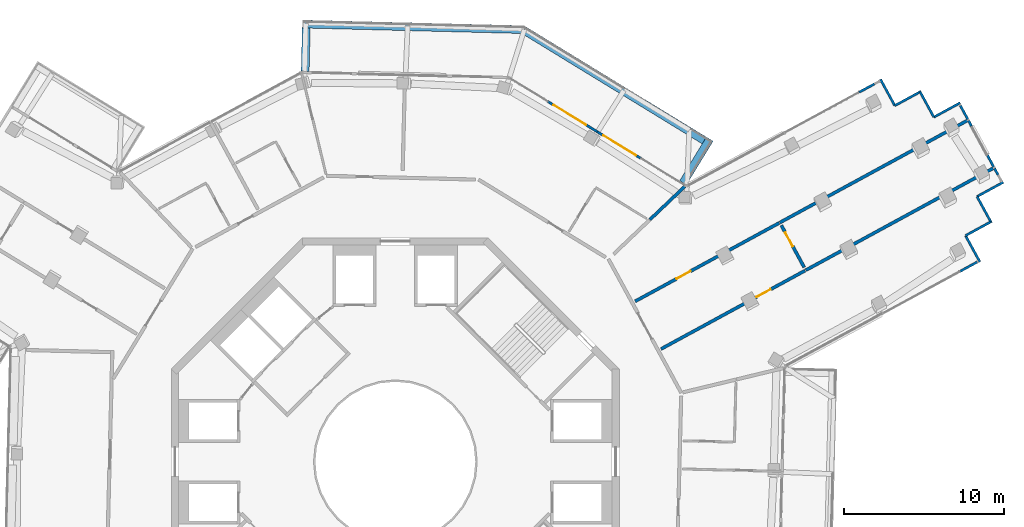
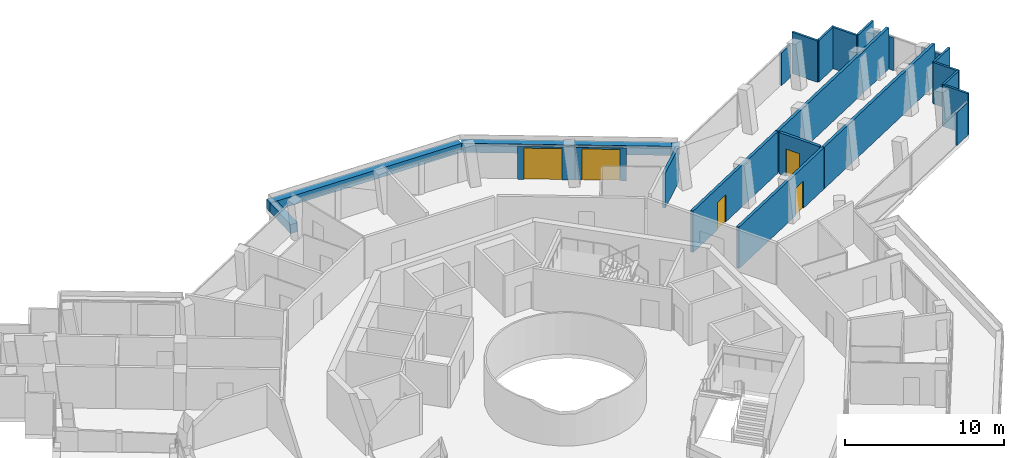
# One storey, part 21 of 24: 26 walls, 5 doors, 5 openings.
"""IFC4 building model written with IfcOpenShell, lengths in metres."""

from ifc_helpers import new_model, si_unit, direction, frame, frame_2d, origin, place, context, subcontext, project, spatial, rectangle, extrude, material, layer, layer_set, type_object, element, fill, save


model = new_model("IFC4")

# Units and contexts
model_context = context("Model", 3, precision=1e-05, world=origin(), true_north=direction((0.0, 1.0)))
body_context = subcontext(model_context, "Body", "Model", "MODEL_VIEW")
ifc_project = project(units=[si_unit("LENGTHUNIT", "METRE"), si_unit("AREAUNIT", "SQUARE_METRE"), si_unit("VOLUMEUNIT", "CUBIC_METRE"), si_unit("PLANEANGLEUNIT", "RADIAN"), si_unit("MASSUNIT", "GRAM", prefix="KILO")], contexts=[model_context])

# Site, building, storey
site_placement = place(None, origin())
site = spatial("IfcSite", under=ifc_project, at=site_placement, CompositionType="ELEMENT")
building_placement = place(site_placement, origin())
building = spatial("IfcBuilding", under=site, at=building_placement, Name="Verdalira Terraces Hotel", CompositionType="ELEMENT")
storey_placement = place(building_placement, frame((0.0, 0.0, 274.0)))
storey = spatial("IfcBuildingStorey", under=building, at=storey_placement, Name="L67", CompositionType="ELEMENT", Elevation=274.0)

# Walls
ifc_material_1 = material(Name="Concrete C40", Category="concrete")
ifc_layer_1 = layer(ifc_material_1, 0.5)
ifc_layer_set_1 = layer_set([ifc_layer_1], Name="Balcony planter trough with tree")
wall_type_1 = type_object("IfcWallType", Name="Balcony planter trough with tree", PredefinedType="SOLIDWALL", material=ifc_layer_set_1)
wall_1_placement = place(storey_placement, frame((17.986328, 17.437744, 0.0), z_axis=(0.0, 0.0, 1.0), x_axis=(0.521582752, 0.853200699, 0.0)))
element("IfcWall", 1, at=wall_1_placement, inside=storey, type_object=wall_type_1, Name="Balcony planter", PredefinedType="SOLIDWALL", context=body_context, shape_type="SweptSolid", body=[
    extrude(rectangle(XDim=3.19873, YDim=0.5, at=frame_2d((1.599365, 0.0))), origin(), (0.0, 0.0, 1.0), 0.699951),
])
wall_2_placement = place(storey_placement, frame((19.311035, 20.084229, 0.0), z_axis=(0.0, 0.0, 1.0), x_axis=(-0.853183696, 0.521610564, 0.0)))
element("IfcWall", 2, at=wall_2_placement, inside=storey, type_object=wall_type_1, Name="Balcony planter", PredefinedType="SOLIDWALL", context=body_context, shape_type="SweptSolid", body=[
    extrude(rectangle(XDim=13.223389, YDim=0.5, at=frame_2d((6.611816, 0.0))), origin(), (0.0, 0.0, 1.0), 0.699951),
])
wall_3_placement = place(storey_placement, frame((7.905029, 27.018311, 0.0), z_axis=(0.0, 0.0, 1.0), x_axis=(-0.99968446, 0.025119309, 0.0)))
element("IfcWall", 3, at=wall_3_placement, inside=storey, type_object=wall_type_1, Name="Balcony planter", PredefinedType="SOLIDWALL", context=body_context, shape_type="SweptSolid", body=[
    extrude(rectangle(XDim=13.723633, YDim=0.5, at=frame_2d((6.861816, 0.0))), origin(), (0.0, 0.0, 1.0), 0.699951),
])
wall_4_placement = place(storey_placement, frame((-5.570557, 27.106934, 0.0), z_axis=(0.0, 0.0, 1.0), x_axis=(-0.025145864, -0.999683793, 0.0)))
element("IfcWall", 4, at=wall_4_placement, inside=storey, type_object=wall_type_1, Name="Balcony planter", PredefinedType="SOLIDWALL", context=body_context, shape_type="SweptSolid", body=[
    extrude(rectangle(XDim=2.698975, YDim=0.5, at=frame_2d((1.349609, 0.0))), origin(), (0.0, 0.0, 1.0), 0.699951),
])

# Wall, opening, door
ifc_material_2 = material(Name="Fire-rated gypsum board wall")
ifc_layer_2 = layer(ifc_material_2, 0.199951171875)
ifc_layer_set_2 = layer_set([ifc_layer_2], Name="Demising wall 200 mm")
wall_type_2 = type_object("IfcWallType", Name="Demising wall 200 mm", PredefinedType="SOLIDWALL", material=ifc_layer_set_2)
wall_5_placement = place(storey_placement, frame((14.989258, 10.025635, 0.0), z_axis=(0.0, 0.0, 1.0), x_axis=(0.878310245, 0.478091114, 0.0)))
wall_5 = element("IfcWall", 5, at=wall_5_placement, inside=storey, type_object=wall_type_2, Name="Demising wall", PredefinedType="SOLIDWALL", context=body_context, shape_type="SweptSolid", body=[
    extrude(rectangle(XDim=10.251953, YDim=0.199951, at=frame_2d((5.125977, 0.0))), origin(), (0.0, 0.0, 1.0), 3.189941),
])
opening_1_placement = place(wall_5_placement, frame((2.949951, 0.0, 0.0)))
opening_1 = element("IfcOpeningElement", 6, at=opening_1_placement, cuts=wall_5, Name="Opening L67-126", PredefinedType="OPENING", context=body_context, shape_type="SweptSolid", body=[
    extrude(rectangle(XDim=1.0, YDim=2.100098, at=frame_2d((0.5, 1.050049))), frame((0.0, 0.109863, 0.0), z_axis=(0.0, -1.0, 0.0), x_axis=(1.0, 0.0, 0.0)), (0.0, 0.0, 1.0), 0.219971),
])
ifc_material_3 = material(Name="Timber fire door", Category="wood")
door_type_1 = type_object("IfcDoorType", Name="Public room door 1000 x 2100", OperationType="NOTDEFINED", PredefinedType="DOOR", material=ifc_material_3)
door_1_placement = place(opening_1_placement, origin())
door_1 = element("IfcDoor", 7, at=door_1_placement, inside=storey, type_object=door_type_1, Name="Public room door 6708", OperationType="SINGLE_SWING_LEFT", OverallHeight=2.10009765625, OverallWidth=1.0, PredefinedType="DOOR", context=body_context, shape_type="SweptSolid", body=[
    extrude(rectangle(XDim=1.0, YDim=2.100098, at=frame_2d((0.5, 1.050049))), frame((0.0, 0.024902, 0.0), z_axis=(0.0, -1.0, 0.0), x_axis=(1.0, 0.0, 0.0)), (0.0, 0.0, 1.0), 0.050049),
])
fill(opening_1, door_1)

wall_6_placement = place(storey_placement, frame((25.61499, 11.948242, 0.0), z_axis=(0.0, 0.0, 1.0), x_axis=(-0.878310245, -0.478091114, 0.0)))
wall_6 = element("IfcWall", 8, at=wall_6_placement, inside=storey, type_object=wall_type_2, Name="Demising wall", PredefinedType="SOLIDWALL", context=body_context, shape_type="SweptSolid", body=[
    extrude(rectangle(XDim=10.251953, YDim=0.199951, at=frame_2d((5.125977, 0.0))), origin(), (0.0, 0.0, 1.0), 3.189941),
])
opening_2_placement = place(wall_6_placement, frame((2.449951, 0.0, 0.0)))
opening_2 = element("IfcOpeningElement", 9, at=opening_2_placement, cuts=wall_6, Name="Opening L67-125", PredefinedType="OPENING", context=body_context, shape_type="SweptSolid", body=[
    extrude(rectangle(XDim=1.0, YDim=2.100098, at=frame_2d((0.5, 1.050049))), frame((0.0, 0.109863, 0.0), z_axis=(0.0, -1.0, 0.0), x_axis=(1.0, 0.0, 0.0)), (0.0, 0.0, 1.0), 0.219971),
])
door_2_placement = place(opening_2_placement, origin())
door_2 = element("IfcDoor", 10, at=door_2_placement, inside=storey, type_object=door_type_1, Name="Public room door 6708", OperationType="SINGLE_SWING_LEFT", OverallHeight=2.10009765625, OverallWidth=1.0, PredefinedType="DOOR", context=body_context, shape_type="SweptSolid", body=[
    extrude(rectangle(XDim=1.0, YDim=2.100098, at=frame_2d((0.5, 1.050049))), frame((0.0, 0.024902, 0.0), z_axis=(0.0, -1.0, 0.0), x_axis=(1.0, 0.0, 0.0)), (0.0, 0.0, 1.0), 0.050049),
])
fill(opening_2, door_2)

wall_7_placement = place(storey_placement, frame((24.131592, 14.77417, 0.0), z_axis=(0.0, 0.0, 1.0), x_axis=(0.478022765, -0.878347446, 0.0)))
wall_7 = element("IfcWall", 11, at=wall_7_placement, inside=storey, type_object=wall_type_2, Name="Demising wall", PredefinedType="SOLIDWALL", context=body_context, shape_type="SweptSolid", body=[
    extrude(rectangle(XDim=2.991455, YDim=0.199951, at=frame_2d((1.495605, 0.0))), origin(), (0.0, 0.0, 1.0), 3.189941),
])
opening_3_placement = place(wall_7_placement, frame((0.5, 0.0, 0.0)))
opening_3 = element("IfcOpeningElement", 12, at=opening_3_placement, cuts=wall_7, Name="Opening L67-127", PredefinedType="OPENING", context=body_context, shape_type="SweptSolid", body=[
    extrude(rectangle(XDim=1.0, YDim=2.100098, at=frame_2d((0.5, 1.050049))), frame((0.0, 0.109863, 0.0), z_axis=(0.0, -1.0, 0.0), x_axis=(1.0, 0.0, 0.0)), (0.0, 0.0, 1.0), 0.219971),
])
door_3_placement = place(opening_3_placement, origin())
door_3 = element("IfcDoor", 13, at=door_3_placement, inside=storey, type_object=door_type_1, Name="Public room door 6708", OperationType="SINGLE_SWING_LEFT", OverallHeight=2.10009765625, OverallWidth=1.0, PredefinedType="DOOR", context=body_context, shape_type="SweptSolid", body=[
    extrude(rectangle(XDim=1.0, YDim=2.100098, at=frame_2d((0.5, 1.050049))), frame((0.0, 0.024902, 0.0), z_axis=(0.0, -1.0, 0.0), x_axis=(1.0, 0.0, 0.0)), (0.0, 0.0, 1.0), 0.050049),
])
fill(opening_3, door_3)

# Walls
for number, where, z_axis, x_axis, name in (
    (14, (35.746094, 21.323975, 0.0), (0.0, 0.0, 1.0), (-0.878315058, -0.478082273, 0.0), "Demising wall"),
    (15, (25.655518, 11.970215, 0.0), (0.0, 0.0, 1.0), (0.878315058, 0.478082273, 0.0), "Demising wall"),
):
    element("IfcWall", number, at=place(storey_placement, frame(where, z_axis=z_axis, x_axis=x_axis)), inside=storey, type_object=wall_type_2, Name=name, PredefinedType="SOLIDWALL", context=body_context, shape_type="SweptSolid", body=[
        extrude(rectangle(XDim=13.334473, YDim=0.199951, at=frame_2d((6.667236, 0.0))), origin(), (0.0, 0.0, 1.0), 3.189941),
    ])
ifc_material_4 = material(Name="Fire-rated gypsum board wall")
ifc_layer_3 = layer(ifc_material_4, 0.199951171875)
ifc_layer_set_3 = layer_set([ifc_layer_3], Name="Demising wall 200 mm to beam soffit")
wall_type_3 = type_object("IfcWallType", Name="Demising wall 200 mm to beam soffit", PredefinedType="SOLIDWALL", material=ifc_layer_set_3)
wall_8_placement = place(storey_placement, frame((15.908203, 15.12793, 0.0), z_axis=(0.0, 0.0, 1.0), x_axis=(0.724639029, 0.689128636, 0.0)))
element("IfcWall", 16, at=wall_8_placement, inside=storey, type_object=wall_type_3, Name="Demising wall", PredefinedType="SOLIDWALL", context=body_context, shape_type="SweptSolid", body=[
    extrude(rectangle(XDim=3.01123, YDim=0.199951, at=frame_2d((1.505615, 0.0))), origin(), (0.0, 0.0, 1.0), 2.689941),
])
ifc_material_5 = material(Name="Terracotta cladding", Category="masonry")
ifc_layer_4 = layer(ifc_material_5, 0.14990234375)
ifc_layer_set_4 = layer_set([ifc_layer_4], Name="Terracotta clad wall 150")
wall_type_4 = type_object("IfcWallType", Name="Terracotta clad wall 150", PredefinedType="SOLIDWALL", material=ifc_layer_set_4)
wall_9_placement = place(storey_placement, frame((36.541504, 12.489502, 0.0), z_axis=(0.0, 0.0, 1.0), x_axis=(-0.478140366, 0.878283434, 0.0)))
element("IfcWall", 17, at=wall_9_placement, inside=storey, type_object=wall_type_4, Name="Terracotta cladding wall", PredefinedType="SOLIDWALL", context=body_context, shape_type="SweptSolid", body=[
    extrude(rectangle(XDim=1.875, YDim=0.149902, at=frame_2d((0.9375, 0.0))), origin(), (0.0, 0.0, 1.0), 3.189941),
])
wall_10_placement = place(storey_placement, frame((35.64502, 14.13623, 0.0), z_axis=(0.0, 0.0, 1.0), x_axis=(0.878315072, 0.478082247, 0.0)))
element("IfcWall", 18, at=wall_10_placement, inside=storey, type_object=wall_type_4, Name="Terracotta cladding wall", PredefinedType="SOLIDWALL", context=body_context, shape_type="SweptSolid", body=[
    extrude(rectangle(XDim=1.800049, YDim=0.149902, at=frame_2d((0.899902, 0.0))), origin(), (0.0, 0.0, 1.0), 3.189941),
])
wall_11_placement = place(storey_placement, frame((37.261963, 14.930908, 0.0), z_axis=(0.0, 0.0, 1.0), x_axis=(-0.47808569, 0.878313198, 0.0)))
element("IfcWall", 19, at=wall_11_placement, inside=storey, type_object=wall_type_4, Name="Terracotta cladding wall", PredefinedType="SOLIDWALL", context=body_context, shape_type="SweptSolid", body=[
    extrude(rectangle(XDim=1.875244, YDim=0.149902, at=frame_2d((0.9375, 0.0))), origin(), (0.0, 0.0, 1.0), 3.189941),
])
wall_12_placement = place(storey_placement, frame((36.365479, 16.577881, 0.0), z_axis=(0.0, 0.0, 1.0), x_axis=(0.878367867, 0.477985241, 0.0)))
element("IfcWall", 20, at=wall_12_placement, inside=storey, type_object=wall_type_4, Name="Terracotta cladding wall", PredefinedType="SOLIDWALL", context=body_context, shape_type="SweptSolid", body=[
    extrude(rectangle(XDim=1.875, YDim=0.149902, at=frame_2d((0.9375, 0.0))), origin(), (0.0, 0.0, 1.0), 3.189941),
])
wall_13_placement = place(storey_placement, frame((35.311279, 22.436768, 0.0), z_axis=(0.0, 0.0, 1.0), x_axis=(-0.878313198, -0.47808569, 0.0)))
element("IfcWall", 21, at=wall_13_placement, inside=storey, type_object=wall_type_4, Name="Terracotta cladding wall", PredefinedType="SOLIDWALL", context=body_context, shape_type="SweptSolid", body=[
    extrude(rectangle(XDim=1.875244, YDim=0.149902, at=frame_2d((0.9375, 0.0))), origin(), (0.0, 0.0, 1.0), 3.189941),
])
wall_14_placement = place(storey_placement, frame((33.664307, 21.540283, 0.0), z_axis=(0.0, 0.0, 1.0), x_axis=(-0.478082247, 0.878315072, 0.0)))
element("IfcWall", 22, at=wall_14_placement, inside=storey, type_object=wall_type_4, Name="Terracotta cladding wall", PredefinedType="SOLIDWALL", context=body_context, shape_type="SweptSolid", body=[
    extrude(rectangle(XDim=1.800049, YDim=0.149902, at=frame_2d((0.899902, 0.0))), origin(), (0.0, 0.0, 1.0), 3.189941),
])
for number, where, z_axis, x_axis, name in (
    (23, (32.869629, 23.157227, 0.0), (0.0, 0.0, 1.0), (-0.878283434, -0.478140366, 0.0), "Terracotta cladding wall"),
    (24, (31.2229, 22.260742, 0.0), (0.0, 0.0, 1.0), (-0.478140366, 0.878283434, 0.0), "Terracotta cladding wall"),
):
    element("IfcWall", number, at=place(storey_placement, frame(where, z_axis=z_axis, x_axis=x_axis)), inside=storey, type_object=wall_type_4, Name=name, PredefinedType="SOLIDWALL", context=body_context, shape_type="SweptSolid", body=[
        extrude(rectangle(XDim=1.875, YDim=0.149902, at=frame_2d((0.9375, 0.0))), origin(), (0.0, 0.0, 1.0), 3.189941),
    ])
ifc_material_6 = material(Name="Terracotta cladding", Category="masonry")
ifc_layer_5 = layer(ifc_material_6, 0.14990234375)
ifc_layer_set_5 = layer_set([ifc_layer_5], Name="Terracotta column pier 150")
wall_type_5 = type_object("IfcWallType", Name="Terracotta column pier 150", PredefinedType="SOLIDWALL", material=ifc_layer_set_5)
wall_15_placement = place(storey_placement, frame((35.262695, 11.878906, 0.0), z_axis=(0.0, 0.0, 1.0), x_axis=(0.878313988, 0.478084239, 0.0)))
element("IfcWall", 25, at=wall_15_placement, inside=storey, type_object=wall_type_5, Name="Terracotta column pier", PredefinedType="SOLIDWALL", context=body_context, shape_type="SweptSolid", body=[
    extrude(rectangle(XDim=1.27002, YDim=0.149902, at=frame_2d((0.63501, 0.0))), origin(), (0.0, 0.0, 1.0), 2.524902),
])
wall_16_placement = place(storey_placement, frame((37.681152, 17.925781, 0.0), z_axis=(0.0, 0.0, 1.0), x_axis=(-0.47817264, 0.878265863, 0.0)))
element("IfcWall", 26, at=wall_16_placement, inside=storey, type_object=wall_type_5, Name="Terracotta column pier", PredefinedType="SOLIDWALL", context=body_context, shape_type="SweptSolid", body=[
    extrude(rectangle(XDim=0.478516, YDim=0.149902, at=frame_2d((0.239258, 0.0))), origin(), (0.0, 0.0, 1.0), 2.524902),
])
wall_17_placement = place(storey_placement, frame((37.414307, 18.416016, 0.0), z_axis=(0.0, 0.0, 1.0), x_axis=(-0.478144217, 0.878281337, 0.0)))
element("IfcWall", 27, at=wall_17_placement, inside=storey, type_object=wall_type_5, Name="Terracotta column pier", PredefinedType="SOLIDWALL", context=body_context, shape_type="SweptSolid", body=[
    extrude(rectangle(XDim=0.870117, YDim=0.149902, at=frame_2d((0.435059, 0.0))), origin(), (0.0, 0.0, 1.0), 2.524902),
])
wall_18_placement = place(storey_placement, frame((36.017334, 20.982422, 0.0), z_axis=(0.0, 0.0, 1.0), x_axis=(-0.478017914, 0.878350086, 0.0)))
element("IfcWall", 28, at=wall_18_placement, inside=storey, type_object=wall_type_5, Name="Terracotta column pier", PredefinedType="SOLIDWALL", context=body_context, shape_type="SweptSolid", body=[
    extrude(rectangle(XDim=0.389648, YDim=0.149902, at=frame_2d((0.194824, 0.0))), origin(), (0.0, 0.0, 1.0), 2.524902),
])
wall_19_placement = place(storey_placement, frame((35.792969, 21.394775, 0.0), z_axis=(0.0, 0.0, 1.0), x_axis=(-0.47819573, 0.878253291, 0.0)))
element("IfcWall", 29, at=wall_19_placement, inside=storey, type_object=wall_type_5, Name="Terracotta column pier", PredefinedType="SOLIDWALL", context=body_context, shape_type="SweptSolid", body=[
    extrude(rectangle(XDim=0.990479, YDim=0.149902, at=frame_2d((0.495117, 0.0))), origin(), (0.0, 0.0, 1.0), 2.524902),
])
wall_20_placement = place(storey_placement, frame((29.948975, 23.616699, 0.0), z_axis=(0.0, 0.0, 1.0), x_axis=(-0.878351232, -0.478015808, 0.0)))
element("IfcWall", 30, at=wall_20_placement, inside=storey, type_object=wall_type_5, Name="Terracotta column pier", PredefinedType="SOLIDWALL", context=body_context, shape_type="SweptSolid", body=[
    extrude(rectangle(XDim=1.084229, YDim=0.149902, at=frame_2d((0.541992, 0.0))), origin(), (0.0, 0.0, 1.0), 2.524902),
])

# Wall, opening, door
ifc_material_7 = material(Name="Terracotta cladding", Category="masonry")
ifc_layer_6 = layer(ifc_material_7, 0.14990234375)
ifc_layer_set_6 = layer_set([ifc_layer_6], Name="Terracotta door pier 150")
wall_type_6 = type_object("IfcWallType", Name="Terracotta door pier 150", PredefinedType="SOLIDWALL", material=ifc_layer_set_6)
wall_21_placement = place(storey_placement, frame((15.386963, 18.937744, 0.0), z_axis=(0.0, 0.0, 1.0), x_axis=(-0.853194542, 0.521592824, 0.0)))
wall_21 = element("IfcWall", 31, at=wall_21_placement, inside=storey, type_object=wall_type_6, Name="Terracotta door pier", PredefinedType="SOLIDWALL", context=body_context, shape_type="SweptSolid", body=[
    extrude(rectangle(XDim=3.249756, YDim=0.149902, at=frame_2d((1.625, 0.0))), origin(), (0.0, 0.0, 1.0), 2.524902),
])
opening_4_placement = place(wall_21_placement, frame((0.399902, 0.0, 0.0)))
opening_4 = element("IfcOpeningElement", 32, at=opening_4_placement, cuts=wall_21, Name="Opening L67-B13", PredefinedType="OPENING", context=body_context, shape_type="SweptSolid", body=[
    extrude(rectangle(XDim=2.399902, YDim=2.399902, at=frame_2d((1.199951, 1.199951))), frame((0.0, 0.084961, 0.0), z_axis=(0.0, -1.0, 0.0), x_axis=(1.0, 0.0, 0.0)), (0.0, 0.0, 1.0), 0.169922),
])
ifc_material_8 = material(Name="Clear glass", Category="glass")
door_type_2 = type_object("IfcDoorType", Name="Balcony sliding door 2400x2400", OperationType="NOTDEFINED", PredefinedType="DOOR", material=ifc_material_8)
door_4_placement = place(opening_4_placement, origin())
door_4 = element("IfcDoor", 33, at=door_4_placement, inside=storey, type_object=door_type_2, Name="Balcony sliding door", OperationType="SLIDING_TO_RIGHT", OverallHeight=2.39990234375, OverallWidth=2.39990234375, PredefinedType="DOOR", context=body_context, shape_type="SweptSolid", body=[
    extrude(rectangle(XDim=2.399902, YDim=2.399902, at=frame_2d((1.199951, 1.199951))), frame((0.0, 0.024902, 0.0), z_axis=(0.0, -1.0, 0.0), x_axis=(1.0, 0.0, 0.0)), (0.0, 0.0, 1.0), 0.050049),
])
fill(opening_4, door_4)

wall_22_placement = place(storey_placement, frame((12.614258, 20.632812, 0.0), z_axis=(0.0, 0.0, 1.0), x_axis=(-0.853186571, 0.521605862, 0.0)))
wall_22 = element("IfcWall", 34, at=wall_22_placement, inside=storey, type_object=wall_type_6, Name="Terracotta door pier", PredefinedType="SOLIDWALL", context=body_context, shape_type="SweptSolid", body=[
    extrude(rectangle(XDim=3.611572, YDim=0.149902, at=frame_2d((1.805664, 0.0))), origin(), (0.0, 0.0, 1.0), 2.524902),
])
opening_5_placement = place(wall_22_placement, frame((0.811279, 0.0, 0.0)))
opening_5 = element("IfcOpeningElement", 35, at=opening_5_placement, cuts=wall_22, Name="Opening L67-B14", PredefinedType="OPENING", context=body_context, shape_type="SweptSolid", body=[
    extrude(rectangle(XDim=2.399902, YDim=2.399902, at=frame_2d((1.199951, 1.199951))), frame((0.0, 0.084961, 0.0), z_axis=(0.0, -1.0, 0.0), x_axis=(1.0, 0.0, 0.0)), (0.0, 0.0, 1.0), 0.169922),
])
door_5_placement = place(opening_5_placement, origin())
door_5 = element("IfcDoor", 36, at=door_5_placement, inside=storey, type_object=door_type_2, Name="Balcony sliding door", OperationType="SLIDING_TO_LEFT", OverallHeight=2.39990234375, OverallWidth=2.39990234375, PredefinedType="DOOR", context=body_context, shape_type="SweptSolid", body=[
    extrude(rectangle(XDim=2.399902, YDim=2.399902, at=frame_2d((1.199951, 1.199951))), frame((0.0, 0.024902, 0.0), z_axis=(0.0, -1.0, 0.0), x_axis=(1.0, 0.0, 0.0)), (0.0, 0.0, 1.0), 0.050049),
])
fill(opening_5, door_5)

save(model, "model.ifc")
